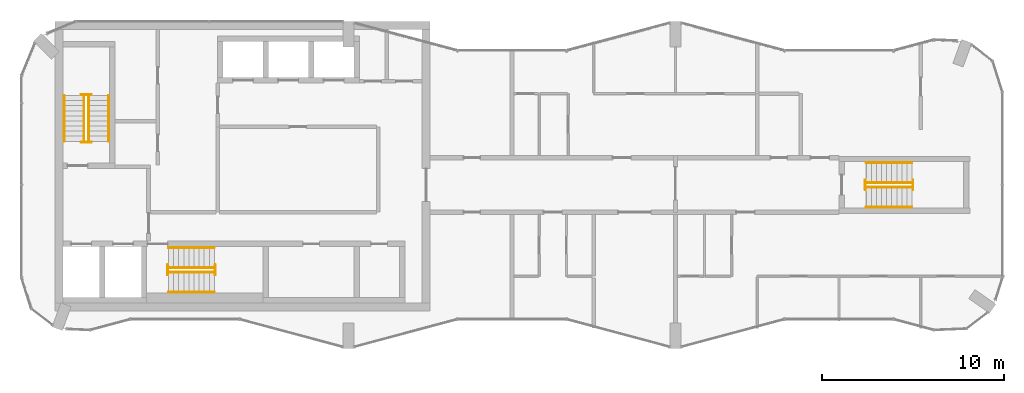
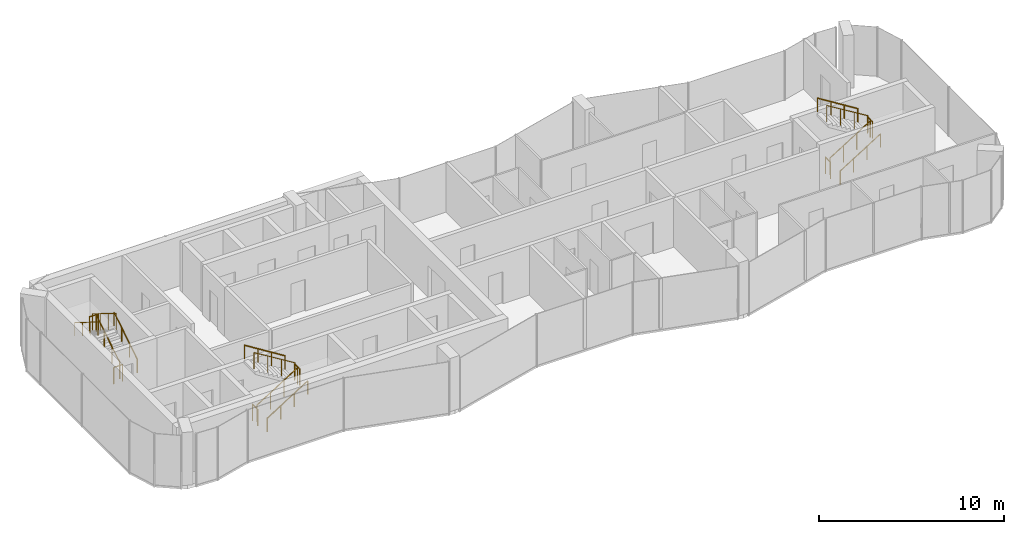
# One storey, part 10 of 10: 18 railings.
"""IFC4 building model written with IfcOpenShell, lengths in metres."""

from ifc_helpers import new_model, si_unit, direction, frame, origin, origin_2d, place, context, subcontext, project, spatial, circle, extrude, material, type_object, element, save


model = new_model("IFC4")

# Units and contexts
model_context = context("Model", 3, precision=1e-05, world=origin(), true_north=direction((0.0, 1.0)))
body_context = subcontext(model_context, "Body", "Model", "MODEL_VIEW")
ifc_project = project(units=[si_unit("LENGTHUNIT", "METRE"), si_unit("AREAUNIT", "SQUARE_METRE"), si_unit("VOLUMEUNIT", "CUBIC_METRE"), si_unit("PLANEANGLEUNIT", "RADIAN"), si_unit("MASSUNIT", "GRAM", prefix="KILO")], contexts=[model_context])

# Site, building, storey
site_placement = place(None, origin())
site = spatial("IfcSite", under=ifc_project, at=site_placement, CompositionType="ELEMENT")
building_placement = place(site_placement, origin())
building = spatial("IfcBuilding", under=site, at=building_placement, Name="Plateau Cross Towers", CompositionType="ELEMENT")
storey_placement = place(building_placement, frame((0.0, 0.0, 273.89990234375)))
storey = spatial("IfcBuildingStorey", under=building, at=storey_placement, Name="L72", CompositionType="ELEMENT", Elevation=273.89990234375)

# Railings
ifc_material_1 = material(Name="Stainless steel and toughened glass", Category="steel")
railing_type_1 = type_object("IfcRailingType", Name="RL-GUARD-1100", PredefinedType="GUARDRAIL", material=ifc_material_1)
railing_1_placement = place(storey_placement, frame((3.699951171875, 11.39990234375, 0.175048828125)))
element("IfcRailing", 1, at=railing_1_placement, inside=storey, type_object=railing_type_1, Name="L72 ST-1 stair guard 1", PredefinedType="GUARDRAIL", context=body_context, shape_type="SweptSolid", body=[
    extrude(circle(Radius=0.02392578125, at=origin_2d()), frame((0.0, 0.0, 1.076171875), z_axis=(0.0, 0.848007534815, 0.529984170421), x_axis=(-1.0, 0.0, 0.0)), (0.0, 0.0, 1.0), 2.9716796875),
    extrude(circle(Radius=0.02099609375, at=origin_2d()), origin(), (0.0, 0.0, 1.0), 1.052001953125),
    extrude(circle(Radius=0.02099609375, at=origin_2d()), frame((0.0, 0.840087890625, 0.52490234375)), (0.0, 0.0, 1.0), 1.052001953125),
    extrude(circle(Radius=0.02099609375, at=origin_2d()), frame((0.0, 1.679931640625, 1.050048828125)), (0.0, 0.0, 1.0), 1.052001953125),
    extrude(circle(Radius=0.02099609375, at=origin_2d()), frame((0.0, 2.52001953125, 1.574951171875)), (0.0, 0.0, 1.0), 1.052001953125),
])
railing_2_placement = place(storey_placement, frame((3.85009765625, 13.969970703125, 1.75)))
element("IfcRailing", 2, at=railing_2_placement, inside=storey, type_object=railing_type_1, Name="L72 ST-1 stair guard 2", PredefinedType="GUARDRAIL", context=body_context, shape_type="SweptSolid", body=[
    extrude(circle(Radius=0.02392578125, at=origin_2d()), frame((0.0, 0.0, 1.076171875), z_axis=(-1.0, 0.0, 0.0), x_axis=(0.0, -1.0, 0.0)), (0.0, 0.0, 1.0), 0.550048828125),
    extrude(circle(Radius=0.02099609375, at=origin_2d()), origin(), (0.0, 0.0, 1.0), 1.052001953125),
    extrude(circle(Radius=0.02099609375, at=origin_2d()), frame((-0.550048828125, 0.0, 0.0)), (0.0, 0.0, 1.0), 1.052001953125),
])
railing_3_placement = place(storey_placement, frame((3.449951171875, 13.919921875, 1.925048828125)))
element("IfcRailing", 3, at=railing_3_placement, inside=storey, type_object=railing_type_1, Name="L72 ST-1 stair guard 3", PredefinedType="GUARDRAIL", context=body_context, shape_type="SweptSolid", body=[
    extrude(circle(Radius=0.02392578125, at=origin_2d()), frame((0.0, 0.0, 1.076171875), z_axis=(0.0, -0.852616386126, 0.522537365276), x_axis=(1.0, 0.0, 0.0)), (0.0, 0.0, 1.0), 3.01416015625),
    extrude(circle(Radius=0.02099609375, at=origin_2d()), origin(), (0.0, 0.0, 1.0), 1.052001953125),
    extrude(circle(Radius=0.02099609375, at=origin_2d()), frame((0.0, -0.856689453125, 0.52490234375)), (0.0, 0.0, 1.0), 1.052001953125),
    extrude(circle(Radius=0.02099609375, at=origin_2d()), frame((0.0, -1.713134765625, 1.050048828125)), (0.0, 0.0, 1.0), 1.052001953125),
    extrude(circle(Radius=0.02099609375, at=origin_2d()), frame((0.0, -2.56982421875, 1.574951171875)), (0.0, 0.0, 1.0), 1.052001953125),
])
railing_4_placement = place(storey_placement, frame((3.85009765625, 11.35009765625, 0.0)))
element("IfcRailing", 4, at=railing_4_placement, inside=storey, type_object=railing_type_1, Name="L72 ST-1 stair guard 4", PredefinedType="GUARDRAIL", context=body_context, shape_type="SweptSolid", body=[
    extrude(circle(Radius=0.02392578125, at=origin_2d()), frame((0.0, 0.0, 1.076171875), z_axis=(-1.0, 0.0, 0.0), x_axis=(0.0, -1.0, 0.0)), (0.0, 0.0, 1.0), 0.550048828125),
    extrude(circle(Radius=0.02099609375, at=origin_2d()), origin(), (0.0, 0.0, 1.0), 1.052001953125),
    extrude(circle(Radius=0.02099609375, at=origin_2d()), frame((-0.550048828125, 0.0, 0.0)), (0.0, 0.0, 1.0), 1.052001953125),
])
railing_5_placement = place(storey_placement, frame((8.10009765625, 4.199951171875, 0.175048828125)))
element("IfcRailing", 5, at=railing_5_placement, inside=storey, type_object=railing_type_1, Name="L72 ST-2 stair guard 1", PredefinedType="GUARDRAIL", context=body_context, shape_type="SweptSolid", body=[
    extrude(circle(Radius=0.02392578125, at=origin_2d()), frame((0.0, 0.0, 1.076171875), z_axis=(0.848007534815, 0.0, 0.529984170421), x_axis=(0.0, 1.0, 0.0)), (0.0, 0.0, 1.0), 2.9716796875),
    extrude(circle(Radius=0.02099609375, at=origin_2d()), origin(), (0.0, 0.0, 1.0), 1.052001953125),
    extrude(circle(Radius=0.02099609375, at=origin_2d()), frame((0.840087890625, 0.0, 0.52490234375)), (0.0, 0.0, 1.0), 1.052001953125),
    extrude(circle(Radius=0.02099609375, at=origin_2d()), frame((1.679931640625, 0.0, 1.050048828125)), (0.0, 0.0, 1.0), 1.052001953125),
    extrude(circle(Radius=0.02099609375, at=origin_2d()), frame((2.52001953125, 0.0, 1.574951171875)), (0.0, 0.0, 1.0), 1.052001953125),
])
railing_6_placement = place(storey_placement, frame((10.669921875, 4.050048828125, 1.75)))
element("IfcRailing", 6, at=railing_6_placement, inside=storey, type_object=railing_type_1, Name="L72 ST-2 stair guard 2", PredefinedType="GUARDRAIL", context=body_context, shape_type="SweptSolid", body=[
    extrude(circle(Radius=0.02392578125, at=origin_2d()), frame((0.0, 0.0, 1.076171875), z_axis=(0.0, 1.0, 0.0), x_axis=(-1.0, 0.0, 0.0)), (0.0, 0.0, 1.0), 0.550048828125),
    extrude(circle(Radius=0.02099609375, at=origin_2d()), origin(), (0.0, 0.0, 1.0), 1.052001953125),
    extrude(circle(Radius=0.02099609375, at=origin_2d()), frame((0.0, 0.550048828125, 0.0)), (0.0, 0.0, 1.0), 1.052001953125),
])
railing_7_placement = place(storey_placement, frame((10.6201171875, 4.449951171875, 1.925048828125)))
element("IfcRailing", 7, at=railing_7_placement, inside=storey, type_object=railing_type_1, Name="L72 ST-2 stair guard 3", PredefinedType="GUARDRAIL", context=body_context, shape_type="SweptSolid", body=[
    extrude(circle(Radius=0.02392578125, at=origin_2d()), frame((0.0, 0.0, 1.076171875), z_axis=(-0.852638500773, 0.0, 0.522501279423), x_axis=(0.0, -1.0, 0.0)), (0.0, 0.0, 1.0), 3.01416015625),
    extrude(circle(Radius=0.02099609375, at=origin_2d()), origin(), (0.0, 0.0, 1.0), 1.052001953125),
    extrude(circle(Radius=0.02099609375, at=origin_2d()), frame((-0.856689453125, 0.0, 0.52490234375)), (0.0, 0.0, 1.0), 1.052001953125),
    extrude(circle(Radius=0.02099609375, at=origin_2d()), frame((-1.71337890625, 0.0, 1.050048828125)), (0.0, 0.0, 1.0), 1.052001953125),
    extrude(circle(Radius=0.02099609375, at=origin_2d()), frame((-2.570068359375, 0.0, 1.574951171875)), (0.0, 0.0, 1.0), 1.052001953125),
])
railing_8_placement = place(storey_placement, frame((8.050048828125, 4.050048828125, 0.0)))
element("IfcRailing", 8, at=railing_8_placement, inside=storey, type_object=railing_type_1, Name="L72 ST-2 stair guard 4", PredefinedType="GUARDRAIL", context=body_context, shape_type="SweptSolid", body=[
    extrude(circle(Radius=0.02392578125, at=origin_2d()), frame((0.0, 0.0, 1.076171875), z_axis=(0.0, 1.0, 0.0), x_axis=(-1.0, 0.0, 0.0)), (0.0, 0.0, 1.0), 0.550048828125),
    extrude(circle(Radius=0.02099609375, at=origin_2d()), origin(), (0.0, 0.0, 1.0), 1.052001953125),
    extrude(circle(Radius=0.02099609375, at=origin_2d()), frame((0.0, 0.550048828125, 0.0)), (0.0, 0.0, 1.0), 1.052001953125),
])
railing_9_placement = place(storey_placement, frame((46.5, 8.875, 0.175048828125)))
element("IfcRailing", 9, at=railing_9_placement, inside=storey, type_object=railing_type_1, Name="L72 ES-E stair guard 1", PredefinedType="GUARDRAIL", context=body_context, shape_type="SweptSolid", body=[
    extrude(circle(Radius=0.02392578125, at=origin_2d()), frame((0.0, 0.0, 1.076171875), z_axis=(0.848007534815, 0.0, 0.529984170421), x_axis=(0.0, 1.0, 0.0)), (0.0, 0.0, 1.0), 2.9716796875),
    extrude(circle(Radius=0.02099609375, at=origin_2d()), origin(), (0.0, 0.0, 1.0), 1.052001953125),
    extrude(circle(Radius=0.02099609375, at=origin_2d()), frame((0.840087890625, 0.0, 0.52490234375)), (0.0, 0.0, 1.0), 1.052001953125),
    extrude(circle(Radius=0.02099609375, at=origin_2d()), frame((1.679931640625, 0.0, 1.050048828125)), (0.0, 0.0, 1.0), 1.052001953125),
    extrude(circle(Radius=0.02099609375, at=origin_2d()), frame((2.52001953125, 0.0, 1.574951171875)), (0.0, 0.0, 1.0), 1.052001953125),
])
railing_10_placement = place(storey_placement, frame((49.070068359375, 8.72509765625, 1.75)))
element("IfcRailing", 10, at=railing_10_placement, inside=storey, type_object=railing_type_1, Name="L72 ES-E stair guard 2", PredefinedType="GUARDRAIL", context=body_context, shape_type="SweptSolid", body=[
    extrude(circle(Radius=0.02392578125, at=origin_2d()), frame((0.0, 0.0, 1.076171875), z_axis=(0.0, 1.0, 0.0), x_axis=(-1.0, 0.0, 0.0)), (0.0, 0.0, 1.0), 0.5498046875),
    extrude(circle(Radius=0.02099609375, at=origin_2d()), origin(), (0.0, 0.0, 1.0), 1.052001953125),
    extrude(circle(Radius=0.02099609375, at=origin_2d()), frame((0.0, 0.5498046875, 0.0)), (0.0, 0.0, 1.0), 1.052001953125),
])
railing_11_placement = place(storey_placement, frame((49.02001953125, 9.125, 1.925048828125)))
element("IfcRailing", 11, at=railing_11_placement, inside=storey, type_object=railing_type_1, Name="L72 ES-E stair guard 3", PredefinedType="GUARDRAIL", context=body_context, shape_type="SweptSolid", body=[
    extrude(circle(Radius=0.02392578125, at=origin_2d()), frame((0.0, 0.0, 1.076171875), z_axis=(-0.852638500773, 0.0, 0.522501279423), x_axis=(0.0, -1.0, 0.0)), (0.0, 0.0, 1.0), 3.01416015625),
    extrude(circle(Radius=0.02099609375, at=origin_2d()), origin(), (0.0, 0.0, 1.0), 1.052001953125),
    extrude(circle(Radius=0.02099609375, at=origin_2d()), frame((-0.856689453125, 0.0, 0.52490234375)), (0.0, 0.0, 1.0), 1.052001953125),
    extrude(circle(Radius=0.02099609375, at=origin_2d()), frame((-1.71337890625, 0.0, 1.050048828125)), (0.0, 0.0, 1.0), 1.052001953125),
    extrude(circle(Radius=0.02099609375, at=origin_2d()), frame((-2.570068359375, 0.0, 1.574951171875)), (0.0, 0.0, 1.0), 1.052001953125),
])
railing_12_placement = place(storey_placement, frame((46.449951171875, 8.72509765625, 0.0)))
element("IfcRailing", 12, at=railing_12_placement, inside=storey, type_object=railing_type_1, Name="L72 ES-E stair guard 4", PredefinedType="GUARDRAIL", context=body_context, shape_type="SweptSolid", body=[
    extrude(circle(Radius=0.02392578125, at=origin_2d()), frame((0.0, 0.0, 1.076171875), z_axis=(0.0, 1.0, 0.0), x_axis=(-1.0, 0.0, 0.0)), (0.0, 0.0, 1.0), 0.5498046875),
    extrude(circle(Radius=0.02099609375, at=origin_2d()), origin(), (0.0, 0.0, 1.0), 1.052001953125),
    extrude(circle(Radius=0.02099609375, at=origin_2d()), frame((0.0, 0.5498046875, 0.0)), (0.0, 0.0, 1.0), 1.052001953125),
])
ifc_material_2 = material(Name="Black anodised aluminium", Category="aluminium")
railing_type_2 = type_object("IfcRailingType", Name="RL-HANDRAIL-900", PredefinedType="HANDRAIL", material=ifc_material_2)
railing_13_placement = place(storey_placement, frame((4.800048828125, 11.39990234375, 0.175048828125)))
element("IfcRailing", 13, at=railing_13_placement, inside=storey, type_object=railing_type_2, Name="L72 ST-1 stair handrail 1", PredefinedType="HANDRAIL", context=body_context, shape_type="SweptSolid", body=[
    extrude(circle(Radius=0.02392578125, at=origin_2d()), frame((0.0, 0.0, 0.8759765625), z_axis=(0.0, 0.848007534815, 0.529984170421), x_axis=(-1.0, 0.0, 0.0)), (0.0, 0.0, 1.0), 2.9716796875),
    extrude(circle(Radius=0.02099609375, at=origin_2d()), origin(), (0.0, 0.0, 1.0), 0.851806640625),
    extrude(circle(Radius=0.02099609375, at=origin_2d()), frame((0.0, 0.840087890625, 0.52490234375)), (0.0, 0.0, 1.0), 0.851806640625),
    extrude(circle(Radius=0.02099609375, at=origin_2d()), frame((0.0, 1.679931640625, 1.050048828125)), (0.0, 0.0, 1.0), 0.851806640625),
    extrude(circle(Radius=0.02099609375, at=origin_2d()), frame((0.0, 2.52001953125, 1.574951171875)), (0.0, 0.0, 1.0), 0.851806640625),
])
railing_14_placement = place(storey_placement, frame((2.35009765625, 13.919921875, 1.925048828125)))
element("IfcRailing", 14, at=railing_14_placement, inside=storey, type_object=railing_type_2, Name="L72 ST-1 stair handrail 2", PredefinedType="HANDRAIL", context=body_context, shape_type="SweptSolid", body=[
    extrude(circle(Radius=0.02392578125, at=origin_2d()), frame((0.0, 0.0, 0.8759765625), z_axis=(0.0, -0.848007534815, 0.529984170421), x_axis=(1.0, 0.0, 0.0)), (0.0, 0.0, 1.0), 2.9716796875),
    extrude(circle(Radius=0.02099609375, at=origin_2d()), origin(), (0.0, 0.0, 1.0), 0.851806640625),
    extrude(circle(Radius=0.02099609375, at=origin_2d()), frame((0.0, -0.840087890625, 0.52490234375)), (0.0, 0.0, 1.0), 0.851806640625),
    extrude(circle(Radius=0.02099609375, at=origin_2d()), frame((0.0, -1.679931640625, 1.050048828125)), (0.0, 0.0, 1.0), 0.851806640625),
    extrude(circle(Radius=0.02099609375, at=origin_2d()), frame((0.0, -2.52001953125, 1.574951171875)), (0.0, 0.0, 1.0), 0.851806640625),
])
railing_15_placement = place(storey_placement, frame((8.10009765625, 3.10009765625, 0.175048828125)))
element("IfcRailing", 15, at=railing_15_placement, inside=storey, type_object=railing_type_2, Name="L72 ST-2 stair handrail 1", PredefinedType="HANDRAIL", context=body_context, shape_type="SweptSolid", body=[
    extrude(circle(Radius=0.02392578125, at=origin_2d()), frame((0.0, 0.0, 0.8759765625), z_axis=(0.848007534815, 0.0, 0.529984170421), x_axis=(0.0, 1.0, 0.0)), (0.0, 0.0, 1.0), 2.9716796875),
    extrude(circle(Radius=0.02099609375, at=origin_2d()), origin(), (0.0, 0.0, 1.0), 0.851806640625),
    extrude(circle(Radius=0.02099609375, at=origin_2d()), frame((0.840087890625, 0.0, 0.52490234375)), (0.0, 0.0, 1.0), 0.851806640625),
    extrude(circle(Radius=0.02099609375, at=origin_2d()), frame((1.679931640625, 0.0, 1.050048828125)), (0.0, 0.0, 1.0), 0.851806640625),
    extrude(circle(Radius=0.02099609375, at=origin_2d()), frame((2.52001953125, 0.0, 1.574951171875)), (0.0, 0.0, 1.0), 0.851806640625),
])
railing_16_placement = place(storey_placement, frame((10.6201171875, 5.550048828125, 1.925048828125)))
element("IfcRailing", 16, at=railing_16_placement, inside=storey, type_object=railing_type_2, Name="L72 ST-2 stair handrail 2", PredefinedType="HANDRAIL", context=body_context, shape_type="SweptSolid", body=[
    extrude(circle(Radius=0.02392578125, at=origin_2d()), frame((0.0, 0.0, 0.8759765625), z_axis=(-0.848007534815, 0.0, 0.529984170421), x_axis=(0.0, -1.0, 0.0)), (0.0, 0.0, 1.0), 2.9716796875),
    extrude(circle(Radius=0.02099609375, at=origin_2d()), origin(), (0.0, 0.0, 1.0), 0.851806640625),
    extrude(circle(Radius=0.02099609375, at=origin_2d()), frame((-0.840087890625, 0.0, 0.52490234375)), (0.0, 0.0, 1.0), 0.851806640625),
    extrude(circle(Radius=0.02099609375, at=origin_2d()), frame((-1.679931640625, 0.0, 1.050048828125)), (0.0, 0.0, 1.0), 0.851806640625),
    extrude(circle(Radius=0.02099609375, at=origin_2d()), frame((-2.52001953125, 0.0, 1.574951171875)), (0.0, 0.0, 1.0), 0.851806640625),
])
railing_17_placement = place(storey_placement, frame((46.5, 7.77490234375, 0.175048828125)))
element("IfcRailing", 17, at=railing_17_placement, inside=storey, type_object=railing_type_2, Name="L72 ES-E stair handrail 1", PredefinedType="HANDRAIL", context=body_context, shape_type="SweptSolid", body=[
    extrude(circle(Radius=0.02392578125, at=origin_2d()), frame((0.0, 0.0, 0.8759765625), z_axis=(0.848007534815, 0.0, 0.529984170421), x_axis=(0.0, 1.0, 0.0)), (0.0, 0.0, 1.0), 2.9716796875),
    extrude(circle(Radius=0.02099609375, at=origin_2d()), origin(), (0.0, 0.0, 1.0), 0.851806640625),
    extrude(circle(Radius=0.02099609375, at=origin_2d()), frame((0.840087890625, 0.0, 0.52490234375)), (0.0, 0.0, 1.0), 0.851806640625),
    extrude(circle(Radius=0.02099609375, at=origin_2d()), frame((1.679931640625, 0.0, 1.050048828125)), (0.0, 0.0, 1.0), 0.851806640625),
    extrude(circle(Radius=0.02099609375, at=origin_2d()), frame((2.52001953125, 0.0, 1.574951171875)), (0.0, 0.0, 1.0), 0.851806640625),
])
railing_18_placement = place(storey_placement, frame((49.02001953125, 10.22509765625, 1.925048828125)))
element("IfcRailing", 18, at=railing_18_placement, inside=storey, type_object=railing_type_2, Name="L72 ES-E stair handrail 2", PredefinedType="HANDRAIL", context=body_context, shape_type="SweptSolid", body=[
    extrude(circle(Radius=0.02392578125, at=origin_2d()), frame((0.0, 0.0, 0.8759765625), z_axis=(-0.848007534815, 0.0, 0.529984170421), x_axis=(0.0, -1.0, 0.0)), (0.0, 0.0, 1.0), 2.9716796875),
    extrude(circle(Radius=0.02099609375, at=origin_2d()), origin(), (0.0, 0.0, 1.0), 0.851806640625),
    extrude(circle(Radius=0.02099609375, at=origin_2d()), frame((-0.840087890625, 0.0, 0.52490234375)), (0.0, 0.0, 1.0), 0.851806640625),
    extrude(circle(Radius=0.02099609375, at=origin_2d()), frame((-1.679931640625, 0.0, 1.050048828125)), (0.0, 0.0, 1.0), 0.851806640625),
    extrude(circle(Radius=0.02099609375, at=origin_2d()), frame((-2.52001953125, 0.0, 1.574951171875)), (0.0, 0.0, 1.0), 0.851806640625),
])

save(model, "model.ifc")
